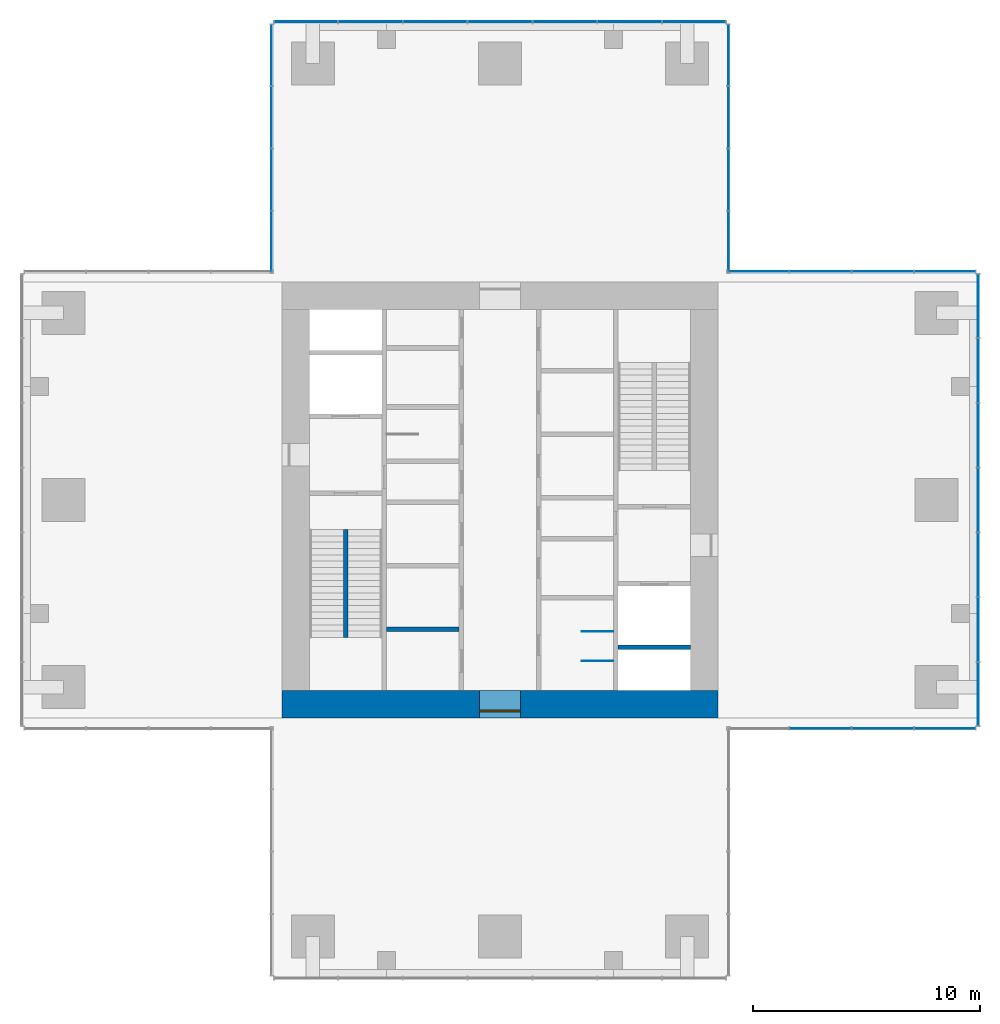
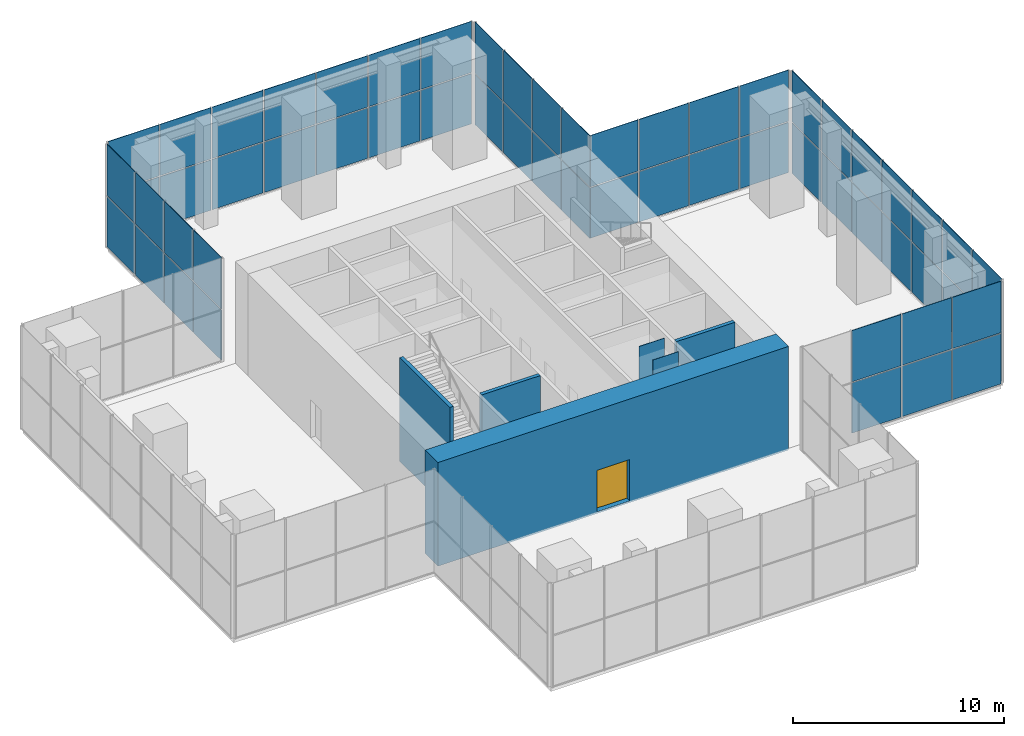
# One storey, part 8 of 11: 58 plates, 6 walls, 1 door, 1 opening, 6 elements without a shape of their own.
"""IFC4 building model written with IfcOpenShell, lengths in metres."""

from ifc_helpers import new_model, si_unit, direction, frame, frame_2d, origin, origin_2d, place, context, subcontext, project, spatial, rectangle, extrude, material, layer, layer_set, type_object, element, fill, aggregate, save


model = new_model("IFC4")

# Units and contexts
model_context = context("Model", 3, precision=1e-05, world=origin(), true_north=direction((0.0, 1.0)))
body_context = subcontext(model_context, "Body", "Model", "MODEL_VIEW")
ifc_project = project(units=[si_unit("LENGTHUNIT", "METRE"), si_unit("AREAUNIT", "SQUARE_METRE"), si_unit("VOLUMEUNIT", "CUBIC_METRE"), si_unit("PLANEANGLEUNIT", "RADIAN"), si_unit("MASSUNIT", "GRAM", prefix="KILO")], contexts=[model_context])

# Site, building, storey
site_placement = place(None, origin())
site = spatial("IfcSite", under=ifc_project, at=site_placement, CompositionType="ELEMENT")
building_placement = place(site_placement, origin())
building = spatial("IfcBuilding", under=site, at=building_placement, Name="Svetlomir Tower", CompositionType="ELEMENT")
storey_placement = place(building_placement, frame((0.0, 0.0, 277.89990234375)))
storey = spatial("IfcBuildingStorey", under=building, at=storey_placement, Name="L66", CompositionType="ELEMENT", Elevation=277.89990234375)

# Curtain wall, plates
ifc_material_1 = material(Name="Bronze anodised aluminium curtain wall", Category="aluminium")
curtain_wall_type = type_object("IfcCurtainWallType", Name="CURTAIN WALL CW6 LANTERN", PredefinedType="NOTDEFINED", material=ifc_material_1)
curtain_wall_1_placement = place(storey_placement, origin())
curtain_wall_1 = element("IfcCurtainWall", 1, at=curtain_wall_1_placement, inside=storey, type_object=curtain_wall_type, Name="Curtain wall CW6 L66", PredefinedType="NOTDEFINED")
ifc_material_2 = material(Name="Tinted double glazed unit", Category="glass")
ifc_layer_1 = layer(ifc_material_2, 0.028076171875)
ifc_layer_set_1 = layer_set([ifc_layer_1], Name="Tinted double glazed unit")
plate_type = type_object("IfcPlateType", Name="CW6 GLAZED PANEL 28", PredefinedType="CURTAIN_PANEL", material=ifc_layer_set_1)
plate_1_placement = place(storey_placement, frame((35.125, 10.919921875, 0.06005859375), z_axis=(0.0, 0.0, 1.0), x_axis=(1.0, 0.0, 0.0)))
plate_1 = element("IfcPlate", 2, at=plate_1_placement, type_object=plate_type, Name="CW6 panel 2.1", PredefinedType="CURTAIN_PANEL", context=body_context, shape_type="SweptSolid", body=[
    extrude(rectangle(XDim=2.68994140625, YDim=0.028076171875, at=origin_2d()), origin(), (0.0, 0.0, 1.0), 2.909912109375),
])
plate_2_placement = place(storey_placement, frame((35.125, 10.919921875, 3.0302734375), z_axis=(0.0, 0.0, 1.0), x_axis=(1.0, 0.0, 0.0)))
plate_2 = element("IfcPlate", 3, at=plate_2_placement, type_object=plate_type, Name="CW6 panel 2.2", PredefinedType="CURTAIN_PANEL", context=body_context, shape_type="SweptSolid", body=[
    extrude(rectangle(XDim=2.68994140625, YDim=0.028076171875, at=origin_2d()), origin(), (0.0, 0.0, 1.0), 2.969970703125),
])
plate_3_placement = place(storey_placement, frame((37.875, 10.919921875, 0.06005859375), z_axis=(0.0, 0.0, 1.0), x_axis=(1.0, 0.0, 0.0)))
plate_3 = element("IfcPlate", 4, at=plate_3_placement, type_object=plate_type, Name="CW6 panel 3.1", PredefinedType="CURTAIN_PANEL", context=body_context, shape_type="SweptSolid", body=[
    extrude(rectangle(XDim=2.68994140625, YDim=0.028076171875, at=origin_2d()), origin(), (0.0, 0.0, 1.0), 2.909912109375),
])
plate_4_placement = place(storey_placement, frame((37.875, 10.919921875, 3.0302734375), z_axis=(0.0, 0.0, 1.0), x_axis=(1.0, 0.0, 0.0)))
plate_4 = element("IfcPlate", 5, at=plate_4_placement, type_object=plate_type, Name="CW6 panel 3.2", PredefinedType="CURTAIN_PANEL", context=body_context, shape_type="SweptSolid", body=[
    extrude(rectangle(XDim=2.68994140625, YDim=0.028076171875, at=origin_2d()), origin(), (0.0, 0.0, 1.0), 2.969970703125),
])
plate_5_placement = place(storey_placement, frame((40.610107421875, 10.919921875, 0.06005859375), z_axis=(0.0, 0.0, 1.0), x_axis=(1.0, 0.0, 0.0)))
plate_5 = element("IfcPlate", 6, at=plate_5_placement, type_object=plate_type, Name="CW6 panel 4.1", PredefinedType="CURTAIN_PANEL", context=body_context, shape_type="SweptSolid", body=[
    extrude(rectangle(XDim=2.659912109375, YDim=0.028076171875, at=origin_2d()), origin(), (0.0, 0.0, 1.0), 2.909912109375),
])
plate_6_placement = place(storey_placement, frame((40.610107421875, 10.919921875, 3.0302734375), z_axis=(0.0, 0.0, 1.0), x_axis=(1.0, 0.0, 0.0)))
plate_6 = element("IfcPlate", 7, at=plate_6_placement, type_object=plate_type, Name="CW6 panel 4.2", PredefinedType="CURTAIN_PANEL", context=body_context, shape_type="SweptSolid", body=[
    extrude(rectangle(XDim=2.659912109375, YDim=0.028076171875, at=origin_2d()), origin(), (0.0, 0.0, 1.0), 2.969970703125),
])
aggregate(curtain_wall_1, [plate_1, plate_2, plate_3, plate_4, plate_5, plate_6])

curtain_wall_2_placement = place(storey_placement, origin())
curtain_wall_2 = element("IfcCurtainWall", 8, at=curtain_wall_2_placement, inside=storey, type_object=curtain_wall_type, Name="Curtain wall CW6 L66", PredefinedType="NOTDEFINED")
plate_7_placement = place(storey_placement, frame((42.080078125, 12.443603515625, 0.06005859375), z_axis=(0.0, 0.0, 1.0), x_axis=(0.0, 1.0, 0.0)))
plate_7 = element("IfcPlate", 9, at=plate_7_placement, type_object=plate_type, Name="CW6 panel 1.1", PredefinedType="CURTAIN_PANEL", context=body_context, shape_type="SweptSolid", body=[
    extrude(rectangle(XDim=2.76708984375, YDim=0.028076171875, at=origin_2d()), origin(), (0.0, 0.0, 1.0), 2.909912109375),
])
plate_8_placement = place(storey_placement, frame((42.080078125, 12.443603515625, 3.0302734375), z_axis=(0.0, 0.0, 1.0), x_axis=(0.0, 1.0, 0.0)))
plate_8 = element("IfcPlate", 10, at=plate_8_placement, type_object=plate_type, Name="CW6 panel 1.2", PredefinedType="CURTAIN_PANEL", context=body_context, shape_type="SweptSolid", body=[
    extrude(rectangle(XDim=2.76708984375, YDim=0.028076171875, at=origin_2d()), origin(), (0.0, 0.0, 1.0), 2.969970703125),
])
plate_9_placement = place(storey_placement, frame((42.080078125, 15.28564453125, 0.06005859375), z_axis=(0.0, 0.0, 1.0), x_axis=(0.0, 1.0, 0.0)))
plate_9 = element("IfcPlate", 11, at=plate_9_placement, type_object=plate_type, Name="CW6 panel 2.1", PredefinedType="CURTAIN_PANEL", context=body_context, shape_type="SweptSolid", body=[
    extrude(rectangle(XDim=2.797119140625, YDim=0.028076171875, at=origin_2d()), origin(), (0.0, 0.0, 1.0), 2.909912109375),
])
plate_10_placement = place(storey_placement, frame((42.080078125, 15.28564453125, 3.0302734375), z_axis=(0.0, 0.0, 1.0), x_axis=(0.0, 1.0, 0.0)))
plate_10 = element("IfcPlate", 12, at=plate_10_placement, type_object=plate_type, Name="CW6 panel 2.2", PredefinedType="CURTAIN_PANEL", context=body_context, shape_type="SweptSolid", body=[
    extrude(rectangle(XDim=2.797119140625, YDim=0.028076171875, at=origin_2d()), origin(), (0.0, 0.0, 1.0), 2.969970703125),
])
plate_11_placement = place(storey_placement, frame((42.080078125, 18.142822265625, 0.06005859375), z_axis=(0.0, 0.0, 1.0), x_axis=(0.0, 1.0, 0.0)))
plate_11 = element("IfcPlate", 13, at=plate_11_placement, type_object=plate_type, Name="CW6 panel 3.1", PredefinedType="CURTAIN_PANEL", context=body_context, shape_type="SweptSolid", body=[
    extrude(rectangle(XDim=2.797119140625, YDim=0.028076171875, at=origin_2d()), origin(), (0.0, 0.0, 1.0), 2.909912109375),
])
plate_12_placement = place(storey_placement, frame((42.080078125, 18.142822265625, 3.0302734375), z_axis=(0.0, 0.0, 1.0), x_axis=(0.0, 1.0, 0.0)))
plate_12 = element("IfcPlate", 14, at=plate_12_placement, type_object=plate_type, Name="CW6 panel 3.2", PredefinedType="CURTAIN_PANEL", context=body_context, shape_type="SweptSolid", body=[
    extrude(rectangle(XDim=2.797119140625, YDim=0.028076171875, at=origin_2d()), origin(), (0.0, 0.0, 1.0), 2.969970703125),
])
plate_13_placement = place(storey_placement, frame((42.080078125, 21.0, 0.06005859375), z_axis=(0.0, 0.0, 1.0), x_axis=(0.0, 1.0, 0.0)))
plate_13 = element("IfcPlate", 15, at=plate_13_placement, type_object=plate_type, Name="CW6 panel 4.1", PredefinedType="CURTAIN_PANEL", context=body_context, shape_type="SweptSolid", body=[
    extrude(rectangle(XDim=2.797119140625, YDim=0.028076171875, at=origin_2d()), origin(), (0.0, 0.0, 1.0), 2.909912109375),
])
plate_14_placement = place(storey_placement, frame((42.080078125, 21.0, 3.0302734375), z_axis=(0.0, 0.0, 1.0), x_axis=(0.0, 1.0, 0.0)))
plate_14 = element("IfcPlate", 16, at=plate_14_placement, type_object=plate_type, Name="CW6 panel 4.2", PredefinedType="CURTAIN_PANEL", context=body_context, shape_type="SweptSolid", body=[
    extrude(rectangle(XDim=2.797119140625, YDim=0.028076171875, at=origin_2d()), origin(), (0.0, 0.0, 1.0), 2.969970703125),
])
plate_15_placement = place(storey_placement, frame((42.080078125, 23.857177734375, 0.06005859375), z_axis=(0.0, 0.0, 1.0), x_axis=(0.0, 1.0, 0.0)))
plate_15 = element("IfcPlate", 17, at=plate_15_placement, type_object=plate_type, Name="CW6 panel 5.1", PredefinedType="CURTAIN_PANEL", context=body_context, shape_type="SweptSolid", body=[
    extrude(rectangle(XDim=2.797119140625, YDim=0.028076171875, at=origin_2d()), origin(), (0.0, 0.0, 1.0), 2.909912109375),
])
plate_16_placement = place(storey_placement, frame((42.080078125, 23.857177734375, 3.0302734375), z_axis=(0.0, 0.0, 1.0), x_axis=(0.0, 1.0, 0.0)))
plate_16 = element("IfcPlate", 18, at=plate_16_placement, type_object=plate_type, Name="CW6 panel 5.2", PredefinedType="CURTAIN_PANEL", context=body_context, shape_type="SweptSolid", body=[
    extrude(rectangle(XDim=2.797119140625, YDim=0.028076171875, at=origin_2d()), origin(), (0.0, 0.0, 1.0), 2.969970703125),
])
plate_17_placement = place(storey_placement, frame((42.080078125, 26.71435546875, 0.06005859375), z_axis=(0.0, 0.0, 1.0), x_axis=(0.0, 1.0, 0.0)))
plate_17 = element("IfcPlate", 19, at=plate_17_placement, type_object=plate_type, Name="CW6 panel 6.1", PredefinedType="CURTAIN_PANEL", context=body_context, shape_type="SweptSolid", body=[
    extrude(rectangle(XDim=2.797119140625, YDim=0.028076171875, at=origin_2d()), origin(), (0.0, 0.0, 1.0), 2.909912109375),
])
plate_18_placement = place(storey_placement, frame((42.080078125, 26.71435546875, 3.0302734375), z_axis=(0.0, 0.0, 1.0), x_axis=(0.0, 1.0, 0.0)))
plate_18 = element("IfcPlate", 20, at=plate_18_placement, type_object=plate_type, Name="CW6 panel 6.2", PredefinedType="CURTAIN_PANEL", context=body_context, shape_type="SweptSolid", body=[
    extrude(rectangle(XDim=2.797119140625, YDim=0.028076171875, at=origin_2d()), origin(), (0.0, 0.0, 1.0), 2.969970703125),
])
plate_19_placement = place(storey_placement, frame((42.080078125, 29.556396484375, 0.06005859375), z_axis=(0.0, 0.0, 1.0), x_axis=(0.0, 1.0, 0.0)))
plate_19 = element("IfcPlate", 21, at=plate_19_placement, type_object=plate_type, Name="CW6 panel 7.1", PredefinedType="CURTAIN_PANEL", context=body_context, shape_type="SweptSolid", body=[
    extrude(rectangle(XDim=2.76708984375, YDim=0.028076171875, at=origin_2d()), origin(), (0.0, 0.0, 1.0), 2.909912109375),
])
plate_20_placement = place(storey_placement, frame((42.080078125, 29.556396484375, 3.0302734375), z_axis=(0.0, 0.0, 1.0), x_axis=(0.0, 1.0, 0.0)))
plate_20 = element("IfcPlate", 22, at=plate_20_placement, type_object=plate_type, Name="CW6 panel 7.2", PredefinedType="CURTAIN_PANEL", context=body_context, shape_type="SweptSolid", body=[
    extrude(rectangle(XDim=2.76708984375, YDim=0.028076171875, at=origin_2d()), origin(), (0.0, 0.0, 1.0), 2.969970703125),
])
aggregate(curtain_wall_2, [plate_7, plate_8, plate_9, plate_10, plate_11, plate_12, plate_13, plate_14, plate_15, plate_16, plate_17, plate_18, plate_19, plate_20])

curtain_wall_3_placement = place(storey_placement, origin())
curtain_wall_3 = element("IfcCurtainWall", 23, at=curtain_wall_3_placement, inside=storey, type_object=curtain_wall_type, Name="Curtain wall CW6 L66", PredefinedType="NOTDEFINED")
plate_21_placement = place(storey_placement, frame((40.610107421875, 31.080078125, 0.06005859375), z_axis=(0.0, 0.0, 1.0), x_axis=(-1.0, 0.0, 0.0)))
plate_21 = element("IfcPlate", 24, at=plate_21_placement, type_object=plate_type, Name="CW6 panel 1.1", PredefinedType="CURTAIN_PANEL", context=body_context, shape_type="SweptSolid", body=[
    extrude(rectangle(XDim=2.659912109375, YDim=0.028076171875, at=origin_2d()), origin(), (0.0, 0.0, 1.0), 2.909912109375),
])
plate_22_placement = place(storey_placement, frame((40.610107421875, 31.080078125, 3.0302734375), z_axis=(0.0, 0.0, 1.0), x_axis=(-1.0, 0.0, 0.0)))
plate_22 = element("IfcPlate", 25, at=plate_22_placement, type_object=plate_type, Name="CW6 panel 1.2", PredefinedType="CURTAIN_PANEL", context=body_context, shape_type="SweptSolid", body=[
    extrude(rectangle(XDim=2.659912109375, YDim=0.028076171875, at=origin_2d()), origin(), (0.0, 0.0, 1.0), 2.969970703125),
])
plate_23_placement = place(storey_placement, frame((37.875, 31.080078125, 0.06005859375), z_axis=(0.0, 0.0, 1.0), x_axis=(-1.0, 0.0, 0.0)))
plate_23 = element("IfcPlate", 26, at=plate_23_placement, type_object=plate_type, Name="CW6 panel 2.1", PredefinedType="CURTAIN_PANEL", context=body_context, shape_type="SweptSolid", body=[
    extrude(rectangle(XDim=2.68994140625, YDim=0.028076171875, at=origin_2d()), origin(), (0.0, 0.0, 1.0), 2.909912109375),
])
plate_24_placement = place(storey_placement, frame((37.875, 31.080078125, 3.0302734375), z_axis=(0.0, 0.0, 1.0), x_axis=(-1.0, 0.0, 0.0)))
plate_24 = element("IfcPlate", 27, at=plate_24_placement, type_object=plate_type, Name="CW6 panel 2.2", PredefinedType="CURTAIN_PANEL", context=body_context, shape_type="SweptSolid", body=[
    extrude(rectangle(XDim=2.68994140625, YDim=0.028076171875, at=origin_2d()), origin(), (0.0, 0.0, 1.0), 2.969970703125),
])
plate_25_placement = place(storey_placement, frame((35.125, 31.080078125, 0.06005859375), z_axis=(0.0, 0.0, 1.0), x_axis=(-1.0, 0.0, 0.0)))
plate_25 = element("IfcPlate", 28, at=plate_25_placement, type_object=plate_type, Name="CW6 panel 3.1", PredefinedType="CURTAIN_PANEL", context=body_context, shape_type="SweptSolid", body=[
    extrude(rectangle(XDim=2.68994140625, YDim=0.028076171875, at=origin_2d()), origin(), (0.0, 0.0, 1.0), 2.909912109375),
])
plate_26_placement = place(storey_placement, frame((35.125, 31.080078125, 3.0302734375), z_axis=(0.0, 0.0, 1.0), x_axis=(-1.0, 0.0, 0.0)))
plate_26 = element("IfcPlate", 29, at=plate_26_placement, type_object=plate_type, Name="CW6 panel 3.2", PredefinedType="CURTAIN_PANEL", context=body_context, shape_type="SweptSolid", body=[
    extrude(rectangle(XDim=2.68994140625, YDim=0.028076171875, at=origin_2d()), origin(), (0.0, 0.0, 1.0), 2.969970703125),
])
plate_27_placement = place(storey_placement, frame((32.389892578125, 31.080078125, 0.06005859375), z_axis=(0.0, 0.0, 1.0), x_axis=(-1.0, 0.0, 0.0)))
plate_27 = element("IfcPlate", 30, at=plate_27_placement, type_object=plate_type, Name="CW6 panel 4.1", PredefinedType="CURTAIN_PANEL", context=body_context, shape_type="SweptSolid", body=[
    extrude(rectangle(XDim=2.659912109375, YDim=0.028076171875, at=origin_2d()), origin(), (0.0, 0.0, 1.0), 2.909912109375),
])
plate_28_placement = place(storey_placement, frame((32.389892578125, 31.080078125, 3.0302734375), z_axis=(0.0, 0.0, 1.0), x_axis=(-1.0, 0.0, 0.0)))
plate_28 = element("IfcPlate", 31, at=plate_28_placement, type_object=plate_type, Name="CW6 panel 4.2", PredefinedType="CURTAIN_PANEL", context=body_context, shape_type="SweptSolid", body=[
    extrude(rectangle(XDim=2.659912109375, YDim=0.028076171875, at=origin_2d()), origin(), (0.0, 0.0, 1.0), 2.969970703125),
])
aggregate(curtain_wall_3, [plate_21, plate_22, plate_23, plate_24, plate_25, plate_26, plate_27, plate_28])

curtain_wall_4_placement = place(storey_placement, origin())
curtain_wall_4 = element("IfcCurtainWall", 32, at=curtain_wall_4_placement, inside=storey, type_object=curtain_wall_type, Name="Curtain wall CW6 L66", PredefinedType="NOTDEFINED")
plate_29_placement = place(storey_placement, frame((31.080078125, 32.389892578125, 0.06005859375), z_axis=(0.0, 0.0, 1.0), x_axis=(0.0, 1.0, 0.0)))
plate_29 = element("IfcPlate", 33, at=plate_29_placement, type_object=plate_type, Name="CW6 panel 1.1", PredefinedType="CURTAIN_PANEL", context=body_context, shape_type="SweptSolid", body=[
    extrude(rectangle(XDim=2.659912109375, YDim=0.028076171875, at=origin_2d()), origin(), (0.0, 0.0, 1.0), 2.909912109375),
])
plate_30_placement = place(storey_placement, frame((31.080078125, 32.389892578125, 3.0302734375), z_axis=(0.0, 0.0, 1.0), x_axis=(0.0, 1.0, 0.0)))
plate_30 = element("IfcPlate", 34, at=plate_30_placement, type_object=plate_type, Name="CW6 panel 1.2", PredefinedType="CURTAIN_PANEL", context=body_context, shape_type="SweptSolid", body=[
    extrude(rectangle(XDim=2.659912109375, YDim=0.028076171875, at=origin_2d()), origin(), (0.0, 0.0, 1.0), 2.969970703125),
])
plate_31_placement = place(storey_placement, frame((31.080078125, 35.125, 0.06005859375), z_axis=(0.0, 0.0, 1.0), x_axis=(0.0, 1.0, 0.0)))
plate_31 = element("IfcPlate", 35, at=plate_31_placement, type_object=plate_type, Name="CW6 panel 2.1", PredefinedType="CURTAIN_PANEL", context=body_context, shape_type="SweptSolid", body=[
    extrude(rectangle(XDim=2.68994140625, YDim=0.028076171875, at=origin_2d()), origin(), (0.0, 0.0, 1.0), 2.909912109375),
])
plate_32_placement = place(storey_placement, frame((31.080078125, 35.125, 3.0302734375), z_axis=(0.0, 0.0, 1.0), x_axis=(0.0, 1.0, 0.0)))
plate_32 = element("IfcPlate", 36, at=plate_32_placement, type_object=plate_type, Name="CW6 panel 2.2", PredefinedType="CURTAIN_PANEL", context=body_context, shape_type="SweptSolid", body=[
    extrude(rectangle(XDim=2.68994140625, YDim=0.028076171875, at=origin_2d()), origin(), (0.0, 0.0, 1.0), 2.969970703125),
])
plate_33_placement = place(storey_placement, frame((31.080078125, 37.875, 0.06005859375), z_axis=(0.0, 0.0, 1.0), x_axis=(0.0, 1.0, 0.0)))
plate_33 = element("IfcPlate", 37, at=plate_33_placement, type_object=plate_type, Name="CW6 panel 3.1", PredefinedType="CURTAIN_PANEL", context=body_context, shape_type="SweptSolid", body=[
    extrude(rectangle(XDim=2.68994140625, YDim=0.028076171875, at=origin_2d()), origin(), (0.0, 0.0, 1.0), 2.909912109375),
])
plate_34_placement = place(storey_placement, frame((31.080078125, 37.875, 3.0302734375), z_axis=(0.0, 0.0, 1.0), x_axis=(0.0, 1.0, 0.0)))
plate_34 = element("IfcPlate", 38, at=plate_34_placement, type_object=plate_type, Name="CW6 panel 3.2", PredefinedType="CURTAIN_PANEL", context=body_context, shape_type="SweptSolid", body=[
    extrude(rectangle(XDim=2.68994140625, YDim=0.028076171875, at=origin_2d()), origin(), (0.0, 0.0, 1.0), 2.969970703125),
])
plate_35_placement = place(storey_placement, frame((31.080078125, 40.610107421875, 0.06005859375), z_axis=(0.0, 0.0, 1.0), x_axis=(0.0, 1.0, 0.0)))
plate_35 = element("IfcPlate", 39, at=plate_35_placement, type_object=plate_type, Name="CW6 panel 4.1", PredefinedType="CURTAIN_PANEL", context=body_context, shape_type="SweptSolid", body=[
    extrude(rectangle(XDim=2.659912109375, YDim=0.028076171875, at=origin_2d()), origin(), (0.0, 0.0, 1.0), 2.909912109375),
])
plate_36_placement = place(storey_placement, frame((31.080078125, 40.610107421875, 3.0302734375), z_axis=(0.0, 0.0, 1.0), x_axis=(0.0, 1.0, 0.0)))
plate_36 = element("IfcPlate", 40, at=plate_36_placement, type_object=plate_type, Name="CW6 panel 4.2", PredefinedType="CURTAIN_PANEL", context=body_context, shape_type="SweptSolid", body=[
    extrude(rectangle(XDim=2.659912109375, YDim=0.028076171875, at=origin_2d()), origin(), (0.0, 0.0, 1.0), 2.969970703125),
])
aggregate(curtain_wall_4, [plate_29, plate_30, plate_31, plate_32, plate_33, plate_34, plate_35, plate_36])

curtain_wall_5_placement = place(storey_placement, origin())
curtain_wall_5 = element("IfcCurtainWall", 41, at=curtain_wall_5_placement, inside=storey, type_object=curtain_wall_type, Name="Curtain wall CW6 L66", PredefinedType="NOTDEFINED")
plate_37_placement = place(storey_placement, frame((29.556396484375, 42.080078125, 0.06005859375), z_axis=(0.0, 0.0, 1.0), x_axis=(-1.0, 0.0, 0.0)))
plate_37 = element("IfcPlate", 42, at=plate_37_placement, type_object=plate_type, Name="CW6 panel 1.1", PredefinedType="CURTAIN_PANEL", context=body_context, shape_type="SweptSolid", body=[
    extrude(rectangle(XDim=2.76708984375, YDim=0.028076171875, at=origin_2d()), origin(), (0.0, 0.0, 1.0), 2.909912109375),
])
plate_38_placement = place(storey_placement, frame((29.556396484375, 42.080078125, 3.0302734375), z_axis=(0.0, 0.0, 1.0), x_axis=(-1.0, 0.0, 0.0)))
plate_38 = element("IfcPlate", 43, at=plate_38_placement, type_object=plate_type, Name="CW6 panel 1.2", PredefinedType="CURTAIN_PANEL", context=body_context, shape_type="SweptSolid", body=[
    extrude(rectangle(XDim=2.76708984375, YDim=0.028076171875, at=origin_2d()), origin(), (0.0, 0.0, 1.0), 2.969970703125),
])
plate_39_placement = place(storey_placement, frame((26.71435546875, 42.080078125, 0.06005859375), z_axis=(0.0, 0.0, 1.0), x_axis=(-1.0, 0.0, 0.0)))
plate_39 = element("IfcPlate", 44, at=plate_39_placement, type_object=plate_type, Name="CW6 panel 2.1", PredefinedType="CURTAIN_PANEL", context=body_context, shape_type="SweptSolid", body=[
    extrude(rectangle(XDim=2.797119140625, YDim=0.028076171875, at=origin_2d()), origin(), (0.0, 0.0, 1.0), 2.909912109375),
])
plate_40_placement = place(storey_placement, frame((26.71435546875, 42.080078125, 3.0302734375), z_axis=(0.0, 0.0, 1.0), x_axis=(-1.0, 0.0, 0.0)))
plate_40 = element("IfcPlate", 45, at=plate_40_placement, type_object=plate_type, Name="CW6 panel 2.2", PredefinedType="CURTAIN_PANEL", context=body_context, shape_type="SweptSolid", body=[
    extrude(rectangle(XDim=2.797119140625, YDim=0.028076171875, at=origin_2d()), origin(), (0.0, 0.0, 1.0), 2.969970703125),
])
plate_41_placement = place(storey_placement, frame((23.857177734375, 42.080078125, 0.06005859375), z_axis=(0.0, 0.0, 1.0), x_axis=(-1.0, 0.0, 0.0)))
plate_41 = element("IfcPlate", 46, at=plate_41_placement, type_object=plate_type, Name="CW6 panel 3.1", PredefinedType="CURTAIN_PANEL", context=body_context, shape_type="SweptSolid", body=[
    extrude(rectangle(XDim=2.797119140625, YDim=0.028076171875, at=origin_2d()), origin(), (0.0, 0.0, 1.0), 2.909912109375),
])
plate_42_placement = place(storey_placement, frame((23.857177734375, 42.080078125, 3.0302734375), z_axis=(0.0, 0.0, 1.0), x_axis=(-1.0, 0.0, 0.0)))
plate_42 = element("IfcPlate", 47, at=plate_42_placement, type_object=plate_type, Name="CW6 panel 3.2", PredefinedType="CURTAIN_PANEL", context=body_context, shape_type="SweptSolid", body=[
    extrude(rectangle(XDim=2.797119140625, YDim=0.028076171875, at=origin_2d()), origin(), (0.0, 0.0, 1.0), 2.969970703125),
])
plate_43_placement = place(storey_placement, frame((21.0, 42.080078125, 0.06005859375), z_axis=(0.0, 0.0, 1.0), x_axis=(-1.0, 0.0, 0.0)))
plate_43 = element("IfcPlate", 48, at=plate_43_placement, type_object=plate_type, Name="CW6 panel 4.1", PredefinedType="CURTAIN_PANEL", context=body_context, shape_type="SweptSolid", body=[
    extrude(rectangle(XDim=2.797119140625, YDim=0.028076171875, at=origin_2d()), origin(), (0.0, 0.0, 1.0), 2.909912109375),
])
plate_44_placement = place(storey_placement, frame((21.0, 42.080078125, 3.0302734375), z_axis=(0.0, 0.0, 1.0), x_axis=(-1.0, 0.0, 0.0)))
plate_44 = element("IfcPlate", 49, at=plate_44_placement, type_object=plate_type, Name="CW6 panel 4.2", PredefinedType="CURTAIN_PANEL", context=body_context, shape_type="SweptSolid", body=[
    extrude(rectangle(XDim=2.797119140625, YDim=0.028076171875, at=origin_2d()), origin(), (0.0, 0.0, 1.0), 2.969970703125),
])
plate_45_placement = place(storey_placement, frame((18.142822265625, 42.080078125, 0.06005859375), z_axis=(0.0, 0.0, 1.0), x_axis=(-1.0, 0.0, 0.0)))
plate_45 = element("IfcPlate", 50, at=plate_45_placement, type_object=plate_type, Name="CW6 panel 5.1", PredefinedType="CURTAIN_PANEL", context=body_context, shape_type="SweptSolid", body=[
    extrude(rectangle(XDim=2.797119140625, YDim=0.028076171875, at=origin_2d()), origin(), (0.0, 0.0, 1.0), 2.909912109375),
])
plate_46_placement = place(storey_placement, frame((18.142822265625, 42.080078125, 3.0302734375), z_axis=(0.0, 0.0, 1.0), x_axis=(-1.0, 0.0, 0.0)))
plate_46 = element("IfcPlate", 51, at=plate_46_placement, type_object=plate_type, Name="CW6 panel 5.2", PredefinedType="CURTAIN_PANEL", context=body_context, shape_type="SweptSolid", body=[
    extrude(rectangle(XDim=2.797119140625, YDim=0.028076171875, at=origin_2d()), origin(), (0.0, 0.0, 1.0), 2.969970703125),
])
plate_47_placement = place(storey_placement, frame((15.28564453125, 42.080078125, 0.06005859375), z_axis=(0.0, 0.0, 1.0), x_axis=(-1.0, 0.0, 0.0)))
plate_47 = element("IfcPlate", 52, at=plate_47_placement, type_object=plate_type, Name="CW6 panel 6.1", PredefinedType="CURTAIN_PANEL", context=body_context, shape_type="SweptSolid", body=[
    extrude(rectangle(XDim=2.797119140625, YDim=0.028076171875, at=origin_2d()), origin(), (0.0, 0.0, 1.0), 2.909912109375),
])
plate_48_placement = place(storey_placement, frame((15.28564453125, 42.080078125, 3.0302734375), z_axis=(0.0, 0.0, 1.0), x_axis=(-1.0, 0.0, 0.0)))
plate_48 = element("IfcPlate", 53, at=plate_48_placement, type_object=plate_type, Name="CW6 panel 6.2", PredefinedType="CURTAIN_PANEL", context=body_context, shape_type="SweptSolid", body=[
    extrude(rectangle(XDim=2.797119140625, YDim=0.028076171875, at=origin_2d()), origin(), (0.0, 0.0, 1.0), 2.969970703125),
])
plate_49_placement = place(storey_placement, frame((12.443603515625, 42.080078125, 0.06005859375), z_axis=(0.0, 0.0, 1.0), x_axis=(-1.0, 0.0, 0.0)))
plate_49 = element("IfcPlate", 54, at=plate_49_placement, type_object=plate_type, Name="CW6 panel 7.1", PredefinedType="CURTAIN_PANEL", context=body_context, shape_type="SweptSolid", body=[
    extrude(rectangle(XDim=2.76708984375, YDim=0.028076171875, at=origin_2d()), origin(), (0.0, 0.0, 1.0), 2.909912109375),
])
plate_50_placement = place(storey_placement, frame((12.443603515625, 42.080078125, 3.0302734375), z_axis=(0.0, 0.0, 1.0), x_axis=(-1.0, 0.0, 0.0)))
plate_50 = element("IfcPlate", 55, at=plate_50_placement, type_object=plate_type, Name="CW6 panel 7.2", PredefinedType="CURTAIN_PANEL", context=body_context, shape_type="SweptSolid", body=[
    extrude(rectangle(XDim=2.76708984375, YDim=0.028076171875, at=origin_2d()), origin(), (0.0, 0.0, 1.0), 2.969970703125),
])
aggregate(curtain_wall_5, [plate_37, plate_38, plate_39, plate_40, plate_41, plate_42, plate_43, plate_44, plate_45, plate_46, plate_47, plate_48, plate_49, plate_50])

curtain_wall_6_placement = place(storey_placement, origin())
curtain_wall_6 = element("IfcCurtainWall", 56, at=curtain_wall_6_placement, inside=storey, type_object=curtain_wall_type, Name="Curtain wall CW6 L66", PredefinedType="NOTDEFINED")
plate_51_placement = place(storey_placement, frame((10.919921875, 40.610107421875, 0.06005859375), z_axis=(0.0, 0.0, 1.0), x_axis=(0.0, -1.0, 0.0)))
plate_51 = element("IfcPlate", 57, at=plate_51_placement, type_object=plate_type, Name="CW6 panel 1.1", PredefinedType="CURTAIN_PANEL", context=body_context, shape_type="SweptSolid", body=[
    extrude(rectangle(XDim=2.659912109375, YDim=0.028076171875, at=origin_2d()), origin(), (0.0, 0.0, 1.0), 2.909912109375),
])
plate_52_placement = place(storey_placement, frame((10.919921875, 40.610107421875, 3.0302734375), z_axis=(0.0, 0.0, 1.0), x_axis=(0.0, -1.0, 0.0)))
plate_52 = element("IfcPlate", 58, at=plate_52_placement, type_object=plate_type, Name="CW6 panel 1.2", PredefinedType="CURTAIN_PANEL", context=body_context, shape_type="SweptSolid", body=[
    extrude(rectangle(XDim=2.659912109375, YDim=0.028076171875, at=origin_2d()), origin(), (0.0, 0.0, 1.0), 2.969970703125),
])
plate_53_placement = place(storey_placement, frame((10.919921875, 37.875, 0.06005859375), z_axis=(0.0, 0.0, 1.0), x_axis=(0.0, -1.0, 0.0)))
plate_53 = element("IfcPlate", 59, at=plate_53_placement, type_object=plate_type, Name="CW6 panel 2.1", PredefinedType="CURTAIN_PANEL", context=body_context, shape_type="SweptSolid", body=[
    extrude(rectangle(XDim=2.68994140625, YDim=0.028076171875, at=origin_2d()), origin(), (0.0, 0.0, 1.0), 2.909912109375),
])
plate_54_placement = place(storey_placement, frame((10.919921875, 37.875, 3.0302734375), z_axis=(0.0, 0.0, 1.0), x_axis=(0.0, -1.0, 0.0)))
plate_54 = element("IfcPlate", 60, at=plate_54_placement, type_object=plate_type, Name="CW6 panel 2.2", PredefinedType="CURTAIN_PANEL", context=body_context, shape_type="SweptSolid", body=[
    extrude(rectangle(XDim=2.68994140625, YDim=0.028076171875, at=origin_2d()), origin(), (0.0, 0.0, 1.0), 2.969970703125),
])
plate_55_placement = place(storey_placement, frame((10.919921875, 35.125, 0.06005859375), z_axis=(0.0, 0.0, 1.0), x_axis=(0.0, -1.0, 0.0)))
plate_55 = element("IfcPlate", 61, at=plate_55_placement, type_object=plate_type, Name="CW6 panel 3.1", PredefinedType="CURTAIN_PANEL", context=body_context, shape_type="SweptSolid", body=[
    extrude(rectangle(XDim=2.68994140625, YDim=0.028076171875, at=origin_2d()), origin(), (0.0, 0.0, 1.0), 2.909912109375),
])
plate_56_placement = place(storey_placement, frame((10.919921875, 35.125, 3.0302734375), z_axis=(0.0, 0.0, 1.0), x_axis=(0.0, -1.0, 0.0)))
plate_56 = element("IfcPlate", 62, at=plate_56_placement, type_object=plate_type, Name="CW6 panel 3.2", PredefinedType="CURTAIN_PANEL", context=body_context, shape_type="SweptSolid", body=[
    extrude(rectangle(XDim=2.68994140625, YDim=0.028076171875, at=origin_2d()), origin(), (0.0, 0.0, 1.0), 2.969970703125),
])
plate_57_placement = place(storey_placement, frame((10.919921875, 32.389892578125, 0.06005859375), z_axis=(0.0, 0.0, 1.0), x_axis=(0.0, -1.0, 0.0)))
plate_57 = element("IfcPlate", 63, at=plate_57_placement, type_object=plate_type, Name="CW6 panel 4.1", PredefinedType="CURTAIN_PANEL", context=body_context, shape_type="SweptSolid", body=[
    extrude(rectangle(XDim=2.659912109375, YDim=0.028076171875, at=origin_2d()), origin(), (0.0, 0.0, 1.0), 2.909912109375),
])
plate_58_placement = place(storey_placement, frame((10.919921875, 32.389892578125, 3.0302734375), z_axis=(0.0, 0.0, 1.0), x_axis=(0.0, -1.0, 0.0)))
plate_58 = element("IfcPlate", 64, at=plate_58_placement, type_object=plate_type, Name="CW6 panel 4.2", PredefinedType="CURTAIN_PANEL", context=body_context, shape_type="SweptSolid", body=[
    extrude(rectangle(XDim=2.659912109375, YDim=0.028076171875, at=origin_2d()), origin(), (0.0, 0.0, 1.0), 2.969970703125),
])
aggregate(curtain_wall_6, [plate_51, plate_52, plate_53, plate_54, plate_55, plate_56, plate_57, plate_58])

# Walls
ifc_material_3 = material(Name="Concrete C60/75", Category="concrete")
ifc_layer_2 = layer(ifc_material_3, 0.199951171875)
ifc_layer_set_2 = layer_set([ifc_layer_2], Name="Concrete C60/75")
wall_type_1 = type_object("IfcWallType", Name="CORE INNER WALL 200", PredefinedType="SHEAR", material=ifc_layer_set_2)
for number, where, z_axis, x_axis, name in (
    (65, (16.0, 15.300048828125, -0.099853515625), (0.0, 0.0, 1.0), (1.0, 0.0, 0.0), "Core inner wall 16-19.2/15.3 L66"),
    (66, (26.199951171875, 14.5, -0.099853515625), (0.0, 0.0, 1.0), (1.0, 0.0, 0.0), "Core inner wall 26.2-29.4/14.5 L66"),
):
    element("IfcWall", number, at=place(storey_placement, frame(where, z_axis=z_axis, x_axis=x_axis)), inside=storey, type_object=wall_type_1, Name=name, PredefinedType="SHEAR", context=body_context, shape_type="SweptSolid", body=[
        extrude(rectangle(XDim=3.199951171875, YDim=0.199951171875, at=frame_2d((1.60009765625, 0.0))), origin(), (0.0, 0.0, 1.0), 6.0),
    ])

# Wall, opening, door
ifc_material_4 = material(Name="Concrete C60/75", Category="concrete")
ifc_layer_3 = layer(ifc_material_4, 1.199951171875)
ifc_layer_set_3 = layer_set([ifc_layer_3], Name="Concrete C60/75")
wall_type_2 = type_object("IfcWallType", Name="CORE WALL 1200", PredefinedType="SHEAR", material=ifc_layer_set_3)
wall_1_placement = place(storey_placement, frame((11.39990234375, 12.0, -0.099853515625), z_axis=(0.0, 0.0, 1.0), x_axis=(1.0, 0.0, 0.0)))
wall_1 = element("IfcWall", 67, at=wall_1_placement, inside=storey, type_object=wall_type_2, Name="Core wall south L66", PredefinedType="SHEAR", context=body_context, shape_type="SweptSolid", body=[
    extrude(rectangle(XDim=19.2001953125, YDim=1.199951171875, at=frame_2d((9.60009765625, 0.0))), origin(), (0.0, 0.0, 1.0), 6.0),
])
opening_placement = place(wall_1_placement, frame((8.699951171875, 0.0, 0.10009765625)))
opening = element("IfcOpeningElement", 68, at=opening_placement, cuts=wall_1, Name="Opening DP", PredefinedType="OPENING", context=body_context, shape_type="SweptSolid", body=[
    extrude(rectangle(XDim=1.800048828125, YDim=2.39990234375, at=frame_2d((0.89990234375, 1.199951171875))), frame((0.0, 0.60986328125, 0.0), z_axis=(0.0, -1.0, 0.0), x_axis=(1.0, 0.0, 0.0)), (0.0, 0.0, 1.0), 1.219970703125),
])
ifc_material_5 = material(Name="Steel fire door", Category="steel")
door_type = type_object("IfcDoorType", Name="PLANT ROOM DOOR DP 1800x2400", OperationType="DOUBLE_DOOR_SINGLE_SWING", PredefinedType="DOOR", material=ifc_material_5)
door_placement = place(opening_placement, origin())
door = element("IfcDoor", 69, at=door_placement, inside=storey, type_object=door_type, Name="Lift lobby south door L66", OperationType="DOUBLE_DOOR_SINGLE_SWING", OverallHeight=2.39990234375, OverallWidth=1.800048828125, PredefinedType="DOOR", context=body_context, shape_type="SweptSolid", body=[
    extrude(rectangle(XDim=1.800048828125, YDim=2.39990234375, at=frame_2d((0.89990234375, 1.199951171875))), frame((0.0, -0.27490234375, 0.0), z_axis=(0.0, -1.0, 0.0), x_axis=(1.0, 0.0, 0.0)), (0.0, 0.0, 1.0), 0.050048828125),
])
fill(opening, door)

# Walls
ifc_material_6 = material(Name="Concrete C60/75", Category="concrete")
ifc_layer_4 = layer(ifc_material_6, 0.199951171875)
ifc_layer_set_4 = layer_set([ifc_layer_4], Name="Concrete C60/75")
wall_type_3 = type_object("IfcWallType", Name="STAIR SPINE WALL 200", PredefinedType="PARTITIONING", material=ifc_layer_set_4)
wall_2_placement = place(storey_placement, frame((14.199951171875, 14.93994140625, 0.0), z_axis=(0.0, 0.0, 1.0), x_axis=(0.0, 1.0, 0.0)))
element("IfcWall", 70, at=wall_2_placement, inside=storey, type_object=wall_type_3, Name="Stair S1 spine wall L66", PredefinedType="PARTITIONING", context=body_context, shape_type="SweptSolid", body=[
    extrude(rectangle(XDim=4.760009765625, YDim=0.199951171875, at=frame_2d((2.3798828125, 0.0))), origin(), (0.0, 0.0, 1.0), 6.0),
])
ifc_material_7 = material(Name="Compact laminate panel", Category="plastic")
ifc_layer_5 = layer(ifc_material_7, 0.030029296875)
ifc_layer_set_5 = layer_set([ifc_layer_5], Name="Compact laminate panel")
wall_type_4 = type_object("IfcWallType", Name="WC CUBICLE PARTITION 30", PredefinedType="PARTITIONING", material=ifc_layer_set_5)
for number, where, z_axis, x_axis, name in (
    (71, (24.60009765625, 13.89990234375, 0.0), (0.0, 0.0, 1.0), (1.0, 0.0, 0.0), "WC cubicle partition L66"),
    (72, (24.60009765625, 15.199951171875, 0.0), (0.0, 0.0, 1.0), (1.0, 0.0, 0.0), "WC cubicle partition L66"),
):
    element("IfcWall", number, at=place(storey_placement, frame(where, z_axis=z_axis, x_axis=x_axis)), inside=storey, type_object=wall_type_4, Name=name, PredefinedType="PARTITIONING", context=body_context, shape_type="SweptSolid", body=[
        extrude(rectangle(XDim=1.39990234375, YDim=0.030029296875, at=frame_2d((0.699951171875, 0.0))), origin(), (0.0, 0.0, 1.0), 5.7001953125),
    ])

save(model, "model.ifc")
